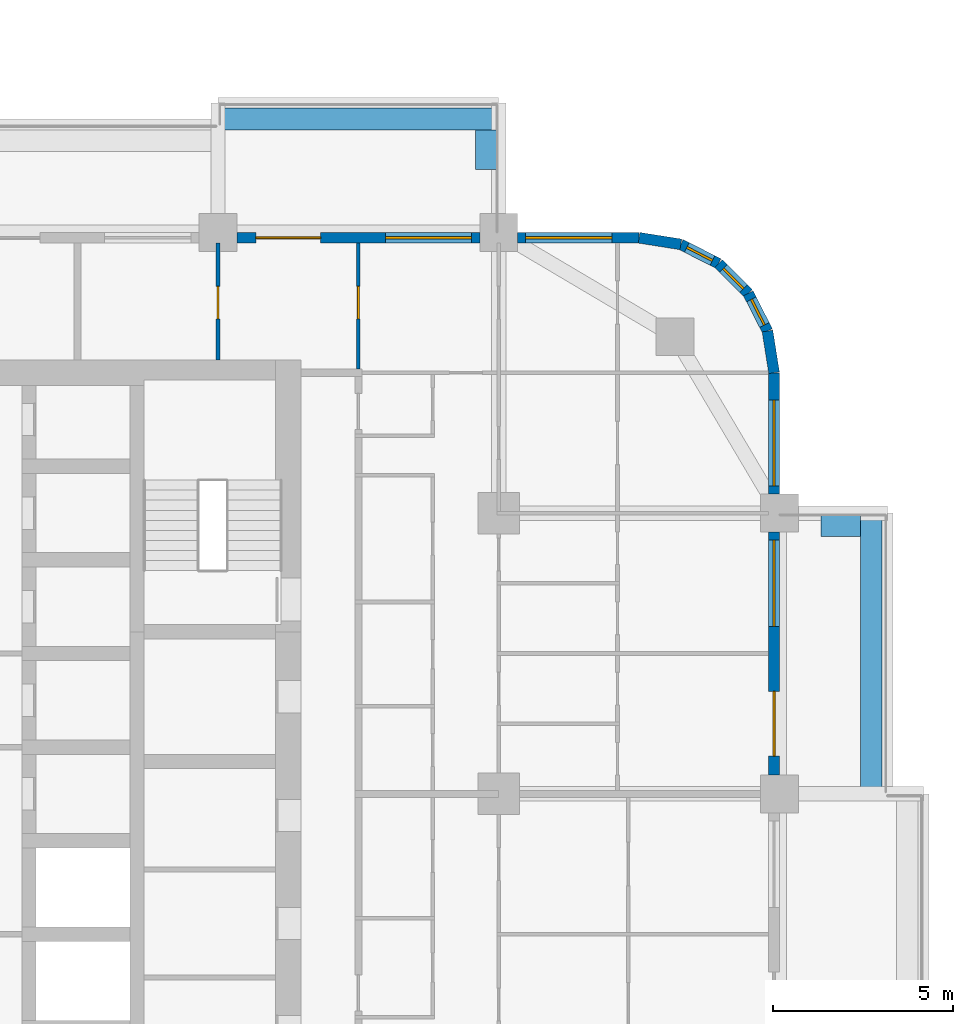
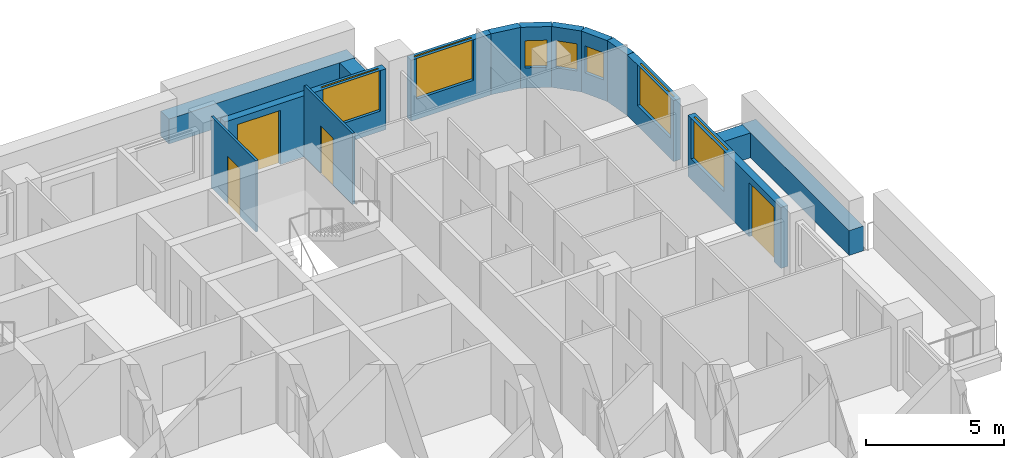
# One storey, part 14 of 19: 15 walls, 7 windows, 4 doors, 11 openings.
"""IFC4 building model written with IfcOpenShell, lengths in metres."""

from ifc_helpers import new_model, si_unit, direction, frame, frame_2d, origin, place, context, subcontext, project, spatial, rectangle, extrude, material, layer, layer_set, type_object, element, fill, save


model = new_model("IFC4")

# Units and contexts
model_context = context("Model", 3, precision=1e-05, world=origin(), true_north=direction((0.0, 1.0)))
body_context = subcontext(model_context, "Body", "Model", "MODEL_VIEW")
ifc_project = project(units=[si_unit("LENGTHUNIT", "METRE"), si_unit("AREAUNIT", "SQUARE_METRE"), si_unit("VOLUMEUNIT", "CUBIC_METRE"), si_unit("PLANEANGLEUNIT", "RADIAN"), si_unit("MASSUNIT", "GRAM", prefix="KILO")], contexts=[model_context])

# Site, building, storey
site_placement = place(None, origin())
site = spatial("IfcSite", under=ifc_project, at=site_placement, CompositionType="ELEMENT")
building_placement = place(site_placement, origin())
building = spatial("IfcBuilding", under=site, at=building_placement, Name="Ludao Terraces", CompositionType="ELEMENT")
storey_placement = place(building_placement, frame((0.0, 0.0, 36.5)))
storey = spatial("IfcBuildingStorey", under=building, at=storey_placement, Name="L09", CompositionType="ELEMENT", Elevation=36.5)

# Walls
ifc_material_1 = material(Name="Concrete C40", Category="concrete")
ifc_layer_1 = layer(ifc_material_1, 0.60009765625)
ifc_layer_set_1 = layer_set([ifc_layer_1], Name="ENV Planter trough 600")
wall_type_1 = type_object("IfcWallType", Name="ENV Planter trough 600", PredefinedType="USERDEFINED", material=ifc_layer_set_1)
wall_1_placement = place(storey_placement, frame((110.949951171875, 72.800048828125, 0.0), z_axis=(0.0, 0.0, 1.0), x_axis=(0.0, 1.0, 0.0)))
element("IfcWall", 1, at=wall_1_placement, inside=storey, type_object=wall_type_1, Name="PL-L09-E4", ObjectType="PLANTER", PredefinedType="USERDEFINED", context=body_context, shape_type="SweptSolid", body=[
    extrude(rectangle(XDim=7.800048828125, YDim=0.60009765625, at=frame_2d((3.89990234375, 0.0))), origin(), (0.0, 0.0, 1.0), 1.10009765625),
])
wall_2_placement = place(storey_placement, frame((110.64990234375, 80.25, 0.0), z_axis=(0.0, 0.0, 1.0), x_axis=(-1.0, 0.0, 0.0)))
element("IfcWall", 2, at=wall_2_placement, inside=storey, type_object=wall_type_1, Name="PL-L09-E4-SB", ObjectType="PLANTER", PredefinedType="USERDEFINED", context=body_context, shape_type="SweptSolid", body=[
    extrude(rectangle(XDim=1.099853515625, YDim=0.60009765625, at=frame_2d((0.5498046875, 0.0))), origin(), (0.0, 0.0, 1.0), 1.10009765625),
])
wall_3_placement = place(storey_placement, frame((92.800048828125, 91.550048828125, 0.0), z_axis=(0.0, 0.0, 1.0), x_axis=(1.0, 0.0, 0.0)))
element("IfcWall", 3, at=wall_3_placement, inside=storey, type_object=wall_type_1, Name="PL-L09-N4", ObjectType="PLANTER", PredefinedType="USERDEFINED", context=body_context, shape_type="SweptSolid", body=[
    extrude(rectangle(XDim=7.800048828125, YDim=0.60009765625, at=frame_2d((3.89990234375, 0.0))), origin(), (0.0, 0.0, 1.0), 1.10009765625),
])
wall_4_placement = place(storey_placement, frame((100.25, 91.25, 0.0), z_axis=(0.0, 0.0, 1.0), x_axis=(0.0, -1.0, 0.0)))
element("IfcWall", 4, at=wall_4_placement, inside=storey, type_object=wall_type_1, Name="PL-L09-N4-SB", ObjectType="PLANTER", PredefinedType="USERDEFINED", context=body_context, shape_type="SweptSolid", body=[
    extrude(rectangle(XDim=1.10009765625, YDim=0.60009765625, at=frame_2d((0.550048828125, 0.0))), origin(), (0.0, 0.0, 1.0), 1.10009765625),
])

# Wall, openings, door, window
ifc_material_2 = material(Name="Granite cladding", Category="masonry")
ifc_layer_2 = layer(ifc_material_2, 0.0400390625, Category="stone")
ifc_material_3 = material(Name="Mineral wool")
ifc_layer_3 = layer(ifc_material_3, 0.06005859375)
ifc_layer_4 = layer(ifc_material_1, 0.199951171875, Category="concrete")
ifc_layer_set_2 = layer_set([ifc_layer_2, ifc_layer_3, ifc_layer_4], Name="ENV Stone-clad wall 300")
wall_type_2 = type_object("IfcWallType", Name="ENV Stone-clad wall 300", PredefinedType="SOLIDWALL", material=ifc_layer_set_2)
wall_5_placement = place(storey_placement, frame((108.25, 73.324951171875, 0.0), z_axis=(0.0, 0.0, 1.0), x_axis=(0.0, 1.0, 0.0)))
wall_5 = element("IfcWall", 5, at=wall_5_placement, inside=storey, type_object=wall_type_2, Name="EW-L09-E5", PredefinedType="SOLIDWALL", context=body_context, shape_type="SweptSolid", body=[
    extrude(rectangle(XDim=6.75, YDim=0.300048828125, at=frame_2d((3.375, 0.0))), origin(), (0.0, 0.0, 1.0), 2.699951171875),
])
opening_1_placement = place(wall_5_placement, frame((0.52490234375, 0.0, 0.0)))
opening_1 = element("IfcOpeningElement", 6, at=opening_1_placement, cuts=wall_5, Name="Opening BD", PredefinedType="OPENING", context=body_context, shape_type="SweptSolid", body=[
    extrude(rectangle(XDim=1.800048828125, YDim=2.39990234375, at=frame_2d((0.89990234375, 1.199951171875))), frame((0.0, 0.16015625, 0.0), z_axis=(0.0, -1.0, 0.0), x_axis=(1.0, 0.0, 0.0)), (0.0, 0.0, 1.0), 0.320068359375),
])
opening_2_placement = place(wall_5_placement, frame((4.125, 0.0, 0.89990234375)))
opening_2 = element("IfcOpeningElement", 7, at=opening_2_placement, cuts=wall_5, Name="Opening W1", PredefinedType="OPENING", context=body_context, shape_type="SweptSolid", body=[
    extrude(rectangle(XDim=2.39990234375, YDim=1.800048828125, at=frame_2d((1.199951171875, 0.89990234375))), frame((0.0, 0.16015625, 0.0), z_axis=(0.0, -1.0, 0.0), x_axis=(1.0, 0.0, 0.0)), (0.0, 0.0, 1.0), 0.320068359375),
])
ifc_material_4 = material(Name="Aluminium glazed door", Category="aluminium")
ifc_layer_5 = layer(ifc_material_4, 0.06005859375)
ifc_layer_set_3 = layer_set([ifc_layer_5], Name="ENV Balcony door BD 1800x2400")
door_type_1 = type_object("IfcDoorType", Name="ENV Balcony door BD 1800x2400", OperationType="DOUBLE_DOOR_SINGLE_SWING", PredefinedType="DOOR", material=ifc_layer_set_3)
door_1_placement = place(opening_1_placement, origin())
door_1 = element("IfcDoor", 8, at=door_1_placement, inside=storey, type_object=door_type_1, Name="BD-L09-E5-1", OperationType="DOUBLE_DOOR_SINGLE_SWING", OverallHeight=2.39990234375, OverallWidth=1.800048828125, PredefinedType="DOOR", context=body_context, shape_type="SweptSolid", body=[
    extrude(rectangle(XDim=1.800048828125, YDim=2.39990234375, at=frame_2d((0.89990234375, 1.199951171875))), frame((0.0, 0.02490234375, 0.0), z_axis=(0.0, -1.0, 0.0), x_axis=(1.0, 0.0, 0.0)), (0.0, 0.0, 1.0), 0.050048828125),
])
fill(opening_1, door_1)
ifc_material_5 = material(Name="Clear glass in aluminium frame", Category="aluminium")
ifc_layer_6 = layer(ifc_material_5, 0.06005859375)
ifc_layer_set_4 = layer_set([ifc_layer_6], Name="ENV Window W1 2400x1800")
window_type_1 = type_object("IfcWindowType", Name="ENV Window W1 2400x1800", PartitioningType="DOUBLE_PANEL_VERTICAL", PredefinedType="WINDOW", material=ifc_layer_set_4)
window_1_placement = place(opening_2_placement, origin())
window_1 = element("IfcWindow", 9, at=window_1_placement, inside=storey, type_object=window_type_1, Name="W-L09-E5-2", OverallHeight=1.800048828125, OverallWidth=2.39990234375, PartitioningType="DOUBLE_PANEL_VERTICAL", PredefinedType="WINDOW", context=body_context, shape_type="SweptSolid", body=[
    extrude(rectangle(XDim=2.39990234375, YDim=1.800048828125, at=frame_2d((1.199951171875, 0.89990234375))), frame((0.0, 0.030029296875, 0.0), z_axis=(0.0, -1.0, 0.0), x_axis=(1.0, 0.0, 0.0)), (0.0, 0.0, 1.0), 0.06005859375),
])
fill(opening_2, window_1)

# Wall, opening, window
wall_6_placement = place(storey_placement, frame((108.25, 81.125, 0.0), z_axis=(0.0, 0.0, 1.0), x_axis=(0.0, 1.0, 0.0)))
wall_6 = element("IfcWall", 10, at=wall_6_placement, inside=storey, type_object=wall_type_2, Name="EW-L09-E6", PredefinedType="SOLIDWALL", context=body_context, shape_type="SweptSolid", body=[
    extrude(rectangle(XDim=3.375, YDim=0.300048828125, at=frame_2d((1.6875, 0.0))), origin(), (0.0, 0.0, 1.0), 2.699951171875),
])
opening_3_placement = place(wall_6_placement, frame((0.22509765625, 0.0, 0.89990234375)))
opening_3 = element("IfcOpeningElement", 11, at=opening_3_placement, cuts=wall_6, Name="Opening W1", PredefinedType="OPENING", context=body_context, shape_type="SweptSolid", body=[
    extrude(rectangle(XDim=2.39990234375, YDim=1.800048828125, at=frame_2d((1.199951171875, 0.89990234375))), frame((0.0, 0.16015625, 0.0), z_axis=(0.0, -1.0, 0.0), x_axis=(1.0, 0.0, 0.0)), (0.0, 0.0, 1.0), 0.320068359375),
])
window_2_placement = place(opening_3_placement, origin())
window_2 = element("IfcWindow", 12, at=window_2_placement, inside=storey, type_object=window_type_1, Name="W-L09-E6-1", OverallHeight=1.800048828125, OverallWidth=2.39990234375, PartitioningType="DOUBLE_PANEL_VERTICAL", PredefinedType="WINDOW", context=body_context, shape_type="SweptSolid", body=[
    extrude(rectangle(XDim=2.39990234375, YDim=1.800048828125, at=frame_2d((1.199951171875, 0.89990234375))), frame((0.0, 0.030029296875, 0.0), z_axis=(0.0, -1.0, 0.0), x_axis=(1.0, 0.0, 0.0)), (0.0, 0.0, 1.0), 0.06005859375),
])
fill(opening_3, window_2)

# Wall, openings, door, window
wall_7_placement = place(storey_placement, frame((93.324951171875, 88.25, 0.0), z_axis=(0.0, 0.0, 1.0), x_axis=(1.0, 0.0, 0.0)))
wall_7 = element("IfcWall", 13, at=wall_7_placement, inside=storey, type_object=wall_type_2, Name="EW-L09-N5", PredefinedType="SOLIDWALL", context=body_context, shape_type="SweptSolid", body=[
    extrude(rectangle(XDim=6.75, YDim=0.300048828125, at=frame_2d((3.375, 0.0))), origin(), (0.0, 0.0, 1.0), 2.699951171875),
])
opening_4_placement = place(wall_7_placement, frame((0.52490234375, 0.0, 0.0)))
opening_4 = element("IfcOpeningElement", 14, at=opening_4_placement, cuts=wall_7, Name="Opening BD", PredefinedType="OPENING", context=body_context, shape_type="SweptSolid", body=[
    extrude(rectangle(XDim=1.800048828125, YDim=2.39990234375, at=frame_2d((0.89990234375, 1.199951171875))), frame((0.0, 0.16015625, 0.0), z_axis=(0.0, -1.0, 0.0), x_axis=(1.0, 0.0, 0.0)), (0.0, 0.0, 1.0), 0.320068359375),
])
opening_5_placement = place(wall_7_placement, frame((4.125, 0.0, 0.89990234375)))
opening_5 = element("IfcOpeningElement", 15, at=opening_5_placement, cuts=wall_7, Name="Opening W1", PredefinedType="OPENING", context=body_context, shape_type="SweptSolid", body=[
    extrude(rectangle(XDim=2.39990234375, YDim=1.800048828125, at=frame_2d((1.199951171875, 0.89990234375))), frame((0.0, 0.16015625, 0.0), z_axis=(0.0, -1.0, 0.0), x_axis=(1.0, 0.0, 0.0)), (0.0, 0.0, 1.0), 0.320068359375),
])
door_2_placement = place(opening_4_placement, origin())
door_2 = element("IfcDoor", 16, at=door_2_placement, inside=storey, type_object=door_type_1, Name="BD-L09-N5-1", OperationType="DOUBLE_DOOR_SINGLE_SWING", OverallHeight=2.39990234375, OverallWidth=1.800048828125, PredefinedType="DOOR", context=body_context, shape_type="SweptSolid", body=[
    extrude(rectangle(XDim=1.800048828125, YDim=2.39990234375, at=frame_2d((0.89990234375, 1.199951171875))), frame((0.0, 0.02490234375, 0.0), z_axis=(0.0, -1.0, 0.0), x_axis=(1.0, 0.0, 0.0)), (0.0, 0.0, 1.0), 0.050048828125),
])
fill(opening_4, door_2)
window_3_placement = place(opening_5_placement, origin())
window_3 = element("IfcWindow", 17, at=window_3_placement, inside=storey, type_object=window_type_1, Name="W-L09-N5-2", OverallHeight=1.800048828125, OverallWidth=2.39990234375, PartitioningType="DOUBLE_PANEL_VERTICAL", PredefinedType="WINDOW", context=body_context, shape_type="SweptSolid", body=[
    extrude(rectangle(XDim=2.39990234375, YDim=1.800048828125, at=frame_2d((1.199951171875, 0.89990234375))), frame((0.0, 0.030029296875, 0.0), z_axis=(0.0, -1.0, 0.0), x_axis=(1.0, 0.0, 0.0)), (0.0, 0.0, 1.0), 0.06005859375),
])
fill(opening_5, window_3)

# Wall, opening, window
wall_8_placement = place(storey_placement, frame((101.125, 88.25, 0.0), z_axis=(0.0, 0.0, 1.0), x_axis=(1.0, 0.0, 0.0)))
wall_8 = element("IfcWall", 18, at=wall_8_placement, inside=storey, type_object=wall_type_2, Name="EW-L09-N6", PredefinedType="SOLIDWALL", context=body_context, shape_type="SweptSolid", body=[
    extrude(rectangle(XDim=3.375, YDim=0.300048828125, at=frame_2d((1.6875, 0.0))), origin(), (0.0, 0.0, 1.0), 2.699951171875),
])
opening_6_placement = place(wall_8_placement, frame((0.22509765625, 0.0, 0.89990234375)))
opening_6 = element("IfcOpeningElement", 19, at=opening_6_placement, cuts=wall_8, Name="Opening W1", PredefinedType="OPENING", context=body_context, shape_type="SweptSolid", body=[
    extrude(rectangle(XDim=2.39990234375, YDim=1.800048828125, at=frame_2d((1.199951171875, 0.89990234375))), frame((0.0, 0.16015625, 0.0), z_axis=(0.0, -1.0, 0.0), x_axis=(1.0, 0.0, 0.0)), (0.0, 0.0, 1.0), 0.320068359375),
])
window_4_placement = place(opening_6_placement, origin())
window_4 = element("IfcWindow", 20, at=window_4_placement, inside=storey, type_object=window_type_1, Name="W-L09-N6-1", OverallHeight=1.800048828125, OverallWidth=2.39990234375, PartitioningType="DOUBLE_PANEL_VERTICAL", PredefinedType="WINDOW", context=body_context, shape_type="SweptSolid", body=[
    extrude(rectangle(XDim=2.39990234375, YDim=1.800048828125, at=frame_2d((1.199951171875, 0.89990234375))), frame((0.0, 0.030029296875, 0.0), z_axis=(0.0, -1.0, 0.0), x_axis=(1.0, 0.0, 0.0)), (0.0, 0.0, 1.0), 0.06005859375),
])
fill(opening_6, window_4)

# Wall
wall_9_placement = place(storey_placement, frame((108.25, 84.5, 0.0), z_axis=(0.0, 0.0, 1.0), x_axis=(-0.156496880861, 0.987678452879, 0.0)))
element("IfcWall", 21, at=wall_9_placement, inside=storey, type_object=wall_type_2, Name="EW-L09-NE1", PredefinedType="SOLIDWALL", context=body_context, shape_type="SweptSolid", body=[
    extrude(rectangle(XDim=1.173095703125, YDim=0.300048828125, at=frame_2d((0.58642578125, 0.0))), origin(), (0.0, 0.0, 1.0), 2.699951171875),
])

# Wall, opening, window
wall_10_placement = place(storey_placement, frame((108.06640625, 85.65869140625, 0.0), z_axis=(0.0, 0.0, 1.0), x_axis=(-0.454025524128, 0.890988677504, 0.0)))
wall_10 = element("IfcWall", 22, at=wall_10_placement, inside=storey, type_object=wall_type_2, Name="EW-L09-NE2", PredefinedType="SOLIDWALL", context=body_context, shape_type="SweptSolid", body=[
    extrude(rectangle(XDim=1.17333984375, YDim=0.300048828125, at=frame_2d((0.586669921875, 0.0))), origin(), (0.0, 0.0, 1.0), 2.699951171875),
])
opening_7_placement = place(wall_10_placement, frame((0.1865234375, 0.0, 0.89990234375)))
opening_7 = element("IfcOpeningElement", 23, at=opening_7_placement, cuts=wall_10, Name="Opening W3", PredefinedType="OPENING", context=body_context, shape_type="SweptSolid", body=[
    extrude(rectangle(XDim=0.800048828125, YDim=1.199951171875, at=frame_2d((0.39990234375, 0.60009765625))), frame((0.0, 0.16015625, 0.0), z_axis=(0.0, -1.0, 0.0), x_axis=(1.0, 0.0, 0.0)), (0.0, 0.0, 1.0), 0.320068359375),
])
ifc_layer_7 = layer(ifc_material_5, 0.06005859375)
ifc_layer_set_5 = layer_set([ifc_layer_7], Name="ENV Window W3 800x1200")
window_type_2 = type_object("IfcWindowType", Name="ENV Window W3 800x1200", PartitioningType="SINGLE_PANEL", PredefinedType="WINDOW", material=ifc_layer_set_5)
window_5_placement = place(opening_7_placement, origin())
window_5 = element("IfcWindow", 24, at=window_5_placement, inside=storey, type_object=window_type_2, Name="W-L09-NE2", OverallHeight=1.199951171875, OverallWidth=0.800048828125, PartitioningType="SINGLE_PANEL", PredefinedType="WINDOW", context=body_context, shape_type="SweptSolid", body=[
    extrude(rectangle(XDim=0.800048828125, YDim=1.199951171875, at=frame_2d((0.39990234375, 0.60009765625))), frame((0.0, 0.030029296875, 0.0), z_axis=(0.0, -1.0, 0.0), x_axis=(1.0, 0.0, 0.0)), (0.0, 0.0, 1.0), 0.06005859375),
])
fill(opening_7, window_5)

wall_11_placement = place(storey_placement, frame((107.53369140625, 86.7041015625, 0.0), z_axis=(0.0, 0.0, 1.0), x_axis=(-0.707106781187, 0.707106781187, 0.0)))
wall_11 = element("IfcWall", 25, at=wall_11_placement, inside=storey, type_object=wall_type_2, Name="EW-L09-NE3", PredefinedType="SOLIDWALL", context=body_context, shape_type="SweptSolid", body=[
    extrude(rectangle(XDim=1.173095703125, YDim=0.300048828125, at=frame_2d((0.58642578125, 0.0))), origin(), (0.0, 0.0, 1.0), 2.699951171875),
])
opening_8_placement = place(wall_11_placement, frame((0.1865234375, 0.0, 0.89990234375)))
opening_8 = element("IfcOpeningElement", 26, at=opening_8_placement, cuts=wall_11, Name="Opening W3", PredefinedType="OPENING", context=body_context, shape_type="SweptSolid", body=[
    extrude(rectangle(XDim=0.800048828125, YDim=1.199951171875, at=frame_2d((0.39990234375, 0.60009765625))), frame((0.0, 0.16015625, 0.0), z_axis=(0.0, -1.0, 0.0), x_axis=(1.0, 0.0, 0.0)), (0.0, 0.0, 1.0), 0.320068359375),
])
window_6_placement = place(opening_8_placement, origin())
window_6 = element("IfcWindow", 27, at=window_6_placement, inside=storey, type_object=window_type_2, Name="W-L09-NE3", OverallHeight=1.199951171875, OverallWidth=0.800048828125, PartitioningType="SINGLE_PANEL", PredefinedType="WINDOW", context=body_context, shape_type="SweptSolid", body=[
    extrude(rectangle(XDim=0.800048828125, YDim=1.199951171875, at=frame_2d((0.39990234375, 0.60009765625))), frame((0.0, 0.030029296875, 0.0), z_axis=(0.0, -1.0, 0.0), x_axis=(1.0, 0.0, 0.0)), (0.0, 0.0, 1.0), 0.06005859375),
])
fill(opening_8, window_6)

wall_12_placement = place(storey_placement, frame((106.7041015625, 87.53369140625, 0.0), z_axis=(0.0, 0.0, 1.0), x_axis=(-0.890988677504, 0.454025524128, 0.0)))
wall_12 = element("IfcWall", 28, at=wall_12_placement, inside=storey, type_object=wall_type_2, Name="EW-L09-NE4", PredefinedType="SOLIDWALL", context=body_context, shape_type="SweptSolid", body=[
    extrude(rectangle(XDim=1.17333984375, YDim=0.300048828125, at=frame_2d((0.586669921875, 0.0))), origin(), (0.0, 0.0, 1.0), 2.699951171875),
])
opening_9_placement = place(wall_12_placement, frame((0.1865234375, 0.0, 0.89990234375)))
opening_9 = element("IfcOpeningElement", 29, at=opening_9_placement, cuts=wall_12, Name="Opening W3", PredefinedType="OPENING", context=body_context, shape_type="SweptSolid", body=[
    extrude(rectangle(XDim=0.800048828125, YDim=1.199951171875, at=frame_2d((0.39990234375, 0.60009765625))), frame((0.0, 0.16015625, 0.0), z_axis=(0.0, -1.0, 0.0), x_axis=(1.0, 0.0, 0.0)), (0.0, 0.0, 1.0), 0.320068359375),
])
window_7_placement = place(opening_9_placement, origin())
window_7 = element("IfcWindow", 30, at=window_7_placement, inside=storey, type_object=window_type_2, Name="W-L09-NE4", OverallHeight=1.199951171875, OverallWidth=0.800048828125, PartitioningType="SINGLE_PANEL", PredefinedType="WINDOW", context=body_context, shape_type="SweptSolid", body=[
    extrude(rectangle(XDim=0.800048828125, YDim=1.199951171875, at=frame_2d((0.39990234375, 0.60009765625))), frame((0.0, 0.030029296875, 0.0), z_axis=(0.0, -1.0, 0.0), x_axis=(1.0, 0.0, 0.0)), (0.0, 0.0, 1.0), 0.06005859375),
])
fill(opening_9, window_7)

# Wall
wall_13_placement = place(storey_placement, frame((105.65869140625, 88.06640625, 0.0), z_axis=(0.0, 0.0, 1.0), x_axis=(-0.987678452879, 0.156496880861, 0.0)))
element("IfcWall", 31, at=wall_13_placement, inside=storey, type_object=wall_type_2, Name="EW-L09-NE5", PredefinedType="SOLIDWALL", context=body_context, shape_type="SweptSolid", body=[
    extrude(rectangle(XDim=1.173095703125, YDim=0.300048828125, at=frame_2d((0.58642578125, 0.0))), origin(), (0.0, 0.0, 1.0), 2.699951171875),
])

# Wall, opening, door
ifc_material_6 = material(Name="Gypsum plasterboard", Category="gypsum")
ifc_layer_8 = layer(ifc_material_6, 0.012451171875, Category="gypsum")
ifc_layer_9 = layer(ifc_material_3, 0.06005859375, Name="insulation")
ifc_material_7 = material(Name="Steel Q235", Category="steel")
ifc_layer_10 = layer(ifc_material_7, 0.014892578125, Name="stud")
ifc_layer_11 = layer(ifc_material_6, 0.012451171875, Category="gypsum")
ifc_layer_set_6 = layer_set([ifc_layer_8, ifc_layer_9, ifc_layer_10, ifc_layer_11], Name="INT Partition 100")
wall_type_3 = type_object("IfcWallType", Name="INT Partition 100", PredefinedType="PARTITIONING", material=ifc_layer_set_6)
wall_14_placement = place(storey_placement, frame((92.800048828125, 84.85009765625, 0.0), z_axis=(0.0, 0.0, 1.0), x_axis=(0.0, 1.0, 0.0)))
wall_14 = element("IfcWall", 32, at=wall_14_placement, inside=storey, type_object=wall_type_3, Name="PW-L09-PW113", PredefinedType="PARTITIONING", context=body_context, shape_type="SweptSolid", body=[
    extrude(rectangle(XDim=3.25, YDim=0.10009765625, at=frame_2d((1.625, 0.0))), origin(), (0.0, 0.0, 1.0), 3.14990234375),
])
opening_10_placement = place(wall_14_placement, frame((1.14990234375, 0.0, 0.0)))
opening_10 = element("IfcOpeningElement", 33, at=opening_10_placement, cuts=wall_14, Name="Opening R02-163", PredefinedType="OPENING", context=body_context, shape_type="SweptSolid", body=[
    extrude(rectangle(XDim=0.89990234375, YDim=2.10009765625, at=frame_2d((0.449951171875, 1.050048828125))), frame((0.0, 0.06005859375, 0.0), z_axis=(0.0, -1.0, 0.0), x_axis=(1.0, 0.0, 0.0)), (0.0, 0.0, 1.0), 0.1201171875),
])
ifc_material_8 = material(Name="Timber door leaf", Category="wood")
door_type_2 = type_object("IfcDoorType", Name="INT Room door 900", OperationType="SINGLE_SWING_LEFT", PredefinedType="DOOR", material=ifc_material_8)
door_3_placement = place(opening_10_placement, origin())
door_3 = element("IfcDoor", 34, at=door_3_placement, inside=storey, type_object=door_type_2, Name="DOOR 163", OperationType="SINGLE_SWING_LEFT", OverallHeight=2.10009765625, OverallWidth=0.89990234375, PredefinedType="DOOR", context=body_context, shape_type="SweptSolid", body=[
    extrude(rectangle(XDim=0.89990234375, YDim=2.10009765625, at=frame_2d((0.449951171875, 1.050048828125))), frame((0.0, 0.02490234375, 0.0), z_axis=(0.0, -1.0, 0.0), x_axis=(1.0, 0.0, 0.0)), (0.0, 0.0, 1.0), 0.050048828125),
])
fill(opening_10, door_3)

wall_15_placement = place(storey_placement, frame((96.699951171875, 84.60009765625, 0.0), z_axis=(0.0, 0.0, 1.0), x_axis=(0.0, 1.0, 0.0)))
wall_15 = element("IfcWall", 35, at=wall_15_placement, inside=storey, type_object=wall_type_3, Name="PW-L09-PW117", PredefinedType="PARTITIONING", context=body_context, shape_type="SweptSolid", body=[
    extrude(rectangle(XDim=3.5, YDim=0.10009765625, at=frame_2d((1.75, 0.0))), origin(), (0.0, 0.0, 1.0), 3.14990234375),
])
opening_11_placement = place(wall_15_placement, frame((1.39990234375, 0.0, 0.0)))
opening_11 = element("IfcOpeningElement", 36, at=opening_11_placement, cuts=wall_15, Name="Opening R02-164", PredefinedType="OPENING", context=body_context, shape_type="SweptSolid", body=[
    extrude(rectangle(XDim=0.89990234375, YDim=2.10009765625, at=frame_2d((0.449951171875, 1.050048828125))), frame((0.0, 0.06005859375, 0.0), z_axis=(0.0, -1.0, 0.0), x_axis=(1.0, 0.0, 0.0)), (0.0, 0.0, 1.0), 0.1201171875),
])
door_4_placement = place(opening_11_placement, origin())
door_4 = element("IfcDoor", 37, at=door_4_placement, inside=storey, type_object=door_type_2, Name="DOOR 164", OperationType="SINGLE_SWING_RIGHT", OverallHeight=2.10009765625, OverallWidth=0.89990234375, PredefinedType="DOOR", context=body_context, shape_type="SweptSolid", body=[
    extrude(rectangle(XDim=0.89990234375, YDim=2.10009765625, at=frame_2d((0.449951171875, 1.050048828125))), frame((0.0, 0.02490234375, 0.0), z_axis=(0.0, -1.0, 0.0), x_axis=(1.0, 0.0, 0.0)), (0.0, 0.0, 1.0), 0.050048828125),
])
fill(opening_11, door_4)

save(model, "model.ifc")
